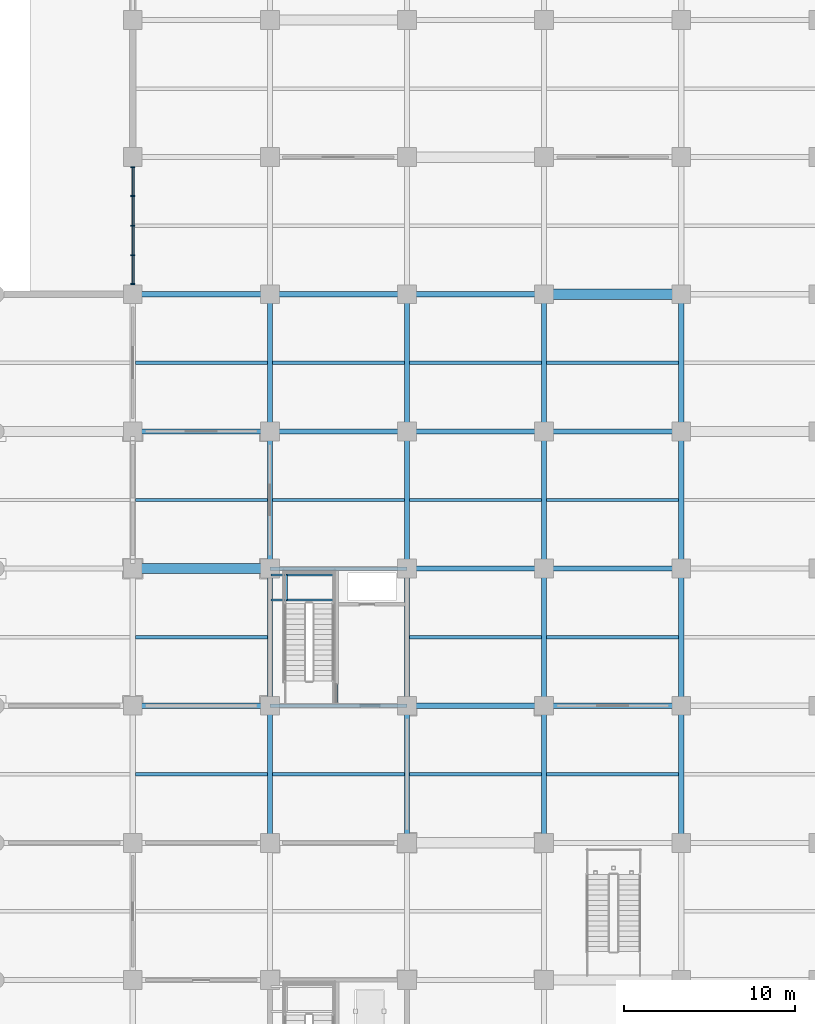
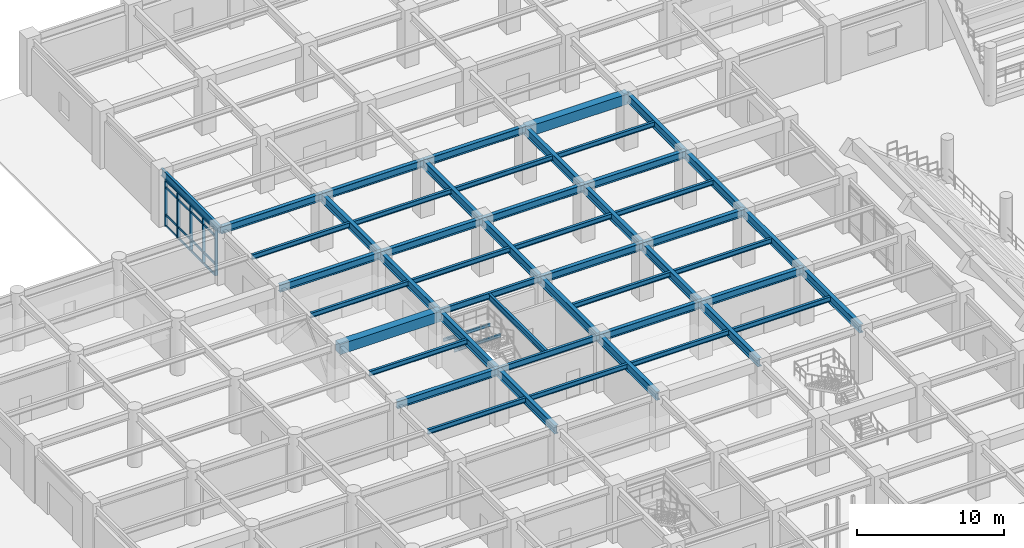
# One storey, part 43 of 125: 52 beams, 21 members, 1 element without a shape of its own.
"""IFC4 building model written with IfcOpenShell, lengths in metres."""

from ifc_helpers import new_model, si_unit, direction, frame, origin, origin_2d, place, context, subcontext, project, spatial, rectangle, i_section, extrude, material, layer, layer_set, material_profile, profile_set, type_object, element, aggregate, save


model = new_model("IFC4")

# Units and contexts
model_context = context("Model", 3, precision=1e-05, world=origin(), true_north=direction((0.0, 1.0)))
body_context = subcontext(model_context, "Body", "Model", "MODEL_VIEW")
ifc_project = project(units=[si_unit("LENGTHUNIT", "METRE"), si_unit("AREAUNIT", "SQUARE_METRE"), si_unit("VOLUMEUNIT", "CUBIC_METRE"), si_unit("PLANEANGLEUNIT", "RADIAN"), si_unit("MASSUNIT", "GRAM", prefix="KILO")], contexts=[model_context])

# Site, building, storey
site_placement = place(None, origin())
site = spatial("IfcSite", under=ifc_project, at=site_placement, CompositionType="ELEMENT")
building_placement = place(site_placement, origin())
building = spatial("IfcBuilding", under=site, at=building_placement, Name="Haebicheon Civic Stadium", CompositionType="ELEMENT")
storey_placement = place(building_placement, origin())
storey = spatial("IfcBuildingStorey", under=building, at=storey_placement, Name="L01", CompositionType="ELEMENT", Elevation=0.0)

# Beams
ifc_material_1 = material(Name="Steel SM355 (S355)", Category="steel")
ifc_material_profile_1 = material_profile(ifc_material_1, i_section(OverallWidth=0.199951171875, OverallDepth=0.5, WebThickness=0.010009765625, FlangeThickness=0.01611328125, at=origin_2d()), Name="H-500x200x10x16")
ifc_profile_set_1 = profile_set([ifc_material_profile_1], Name="Steel SM355 (S355)")
beam_type_1 = type_object("IfcBeamType", Name="BM-ST-H500", PredefinedType="BEAM", material=ifc_profile_set_1)
for number, where, z_axis, x_axis, name in (
    (1, (32.0, 128.0, 4.22998046875), (1.0, 0.0, 0.0), (0.0, 1.0, 0.0), "L01 beam S/5-6"),
    (2, (32.0, 136.0, 4.22998046875), (1.0, 0.0, 0.0), (0.0, 1.0, 0.0), "L01 beam T/5-6"),
):
    element("IfcBeam", number, at=place(storey_placement, frame(where, z_axis=z_axis, x_axis=x_axis)), inside=storey, type_object=beam_type_1, material=ifc_profile_set_1, Name=name, PredefinedType="BEAM", context=body_context, shape_type="SweptSolid", body=[
        extrude(i_section(OverallWidth=0.199951171875, OverallDepth=0.5, WebThickness=0.010009765625, FlangeThickness=0.01611328125, at=origin_2d()), origin(), (0.0, 0.0, 1.0), 8.0),
    ])
beam_1_placement = place(storey_placement, frame((35.8798828125, 128.10009765625, 4.22998046875), z_axis=(0.0, 1.0, 0.0), x_axis=(-1.0, 0.0, 0.0)))
element("IfcBeam", 3, at=beam_1_placement, inside=storey, type_object=beam_type_1, material=ifc_profile_set_1, Name="L01 KC-05 core dividing wall support beam", PredefinedType="BEAM", context=body_context, shape_type="SweptSolid", body=[
    extrude(i_section(OverallWidth=0.199951171875, OverallDepth=0.5, WebThickness=0.010009765625, FlangeThickness=0.01611328125, at=origin_2d()), origin(), (0.0, 0.0, 1.0), 7.7998046875),
])
ifc_material_2 = material(Name="Steel SM355 (S355)", Category="steel")
ifc_material_profile_2 = material_profile(ifc_material_2, i_section(OverallWidth=0.300048828125, OverallDepth=0.60009765625, WebThickness=0.011962890625, FlangeThickness=0.02001953125, at=origin_2d()), Name="H-600x300x12x20")
ifc_profile_set_2 = profile_set([ifc_material_profile_2], Name="Steel SM355 (S355)")
beam_type_2 = type_object("IfcBeamType", Name="BM-ST-H600A", PredefinedType="BEAM", material=ifc_profile_set_2)
for number, where, z_axis, x_axis, name in (
    (4, (24.0, 128.0, 4.179931640625), (1.0, 0.0, 0.0), (0.0, 1.0, 0.0), "L01 beam S/4-5"),
    (5, (24.0, 144.0, 4.179931640625), (1.0, 0.0, 0.0), (0.0, 1.0, 0.0), "L01 beam U/4-5"),
    (6, (24.0, 152.0, 4.179931640625), (1.0, 0.0, 0.0), (0.0, 1.0, 0.0), "L01 beam V/4-5"),
    (7, (32.0, 144.0, 4.179931640625), (1.0, 0.0, 0.0), (0.0, 1.0, 0.0), "L01 beam U/5-6"),
    (8, (32.0, 152.0, 4.179931640625), (1.0, 0.0, 0.0), (0.0, 1.0, 0.0), "L01 beam V/5-6"),
    (9, (40.0, 128.0, 4.179931640625), (1.0, 0.0, 0.0), (0.0, 1.0, 0.0), "L01 beam S/6-7"),
    (10, (40.0, 136.0, 4.179931640625), (1.0, 0.0, 0.0), (0.0, 1.0, 0.0), "L01 beam T/6-7"),
    (11, (40.0, 144.0, 4.179931640625), (1.0, 0.0, 0.0), (0.0, 1.0, 0.0), "L01 beam U/6-7"),
    (12, (40.0, 152.0, 4.179931640625), (1.0, 0.0, 0.0), (0.0, 1.0, 0.0), "L01 beam V/6-7"),
    (13, (48.0, 128.0, 4.179931640625), (1.0, 0.0, 0.0), (0.0, 1.0, 0.0), "L01 beam S/7-8"),
    (14, (48.0, 136.0, 4.179931640625), (1.0, 0.0, 0.0), (0.0, 1.0, 0.0), "L01 beam T/7-8"),
    (15, (48.0, 144.0, 4.179931640625), (1.0, 0.0, 0.0), (0.0, 1.0, 0.0), "L01 beam U/7-8"),
):
    element("IfcBeam", number, at=place(storey_placement, frame(where, z_axis=z_axis, x_axis=x_axis)), inside=storey, type_object=beam_type_2, material=ifc_profile_set_2, Name=name, PredefinedType="BEAM", context=body_context, shape_type="SweptSolid", body=[
        extrude(i_section(OverallWidth=0.300048828125, OverallDepth=0.60009765625, WebThickness=0.011962890625, FlangeThickness=0.02001953125, at=origin_2d()), origin(), (0.0, 0.0, 1.0), 8.0),
    ])
ifc_material_3 = material(Name="Steel SM490", Category="steel")
ifc_material_profile_3 = material_profile(ifc_material_3, i_section(OverallWidth=0.300048828125, OverallDepth=0.699951171875, WebThickness=0.012939453125, FlangeThickness=0.02392578125, at=origin_2d()), Name="H-700x300x13x24")
ifc_profile_set_3 = profile_set([ifc_material_profile_3], Name="Steel SM490")
beam_type_3 = type_object("IfcBeamType", Name="BM-ST-H700", PredefinedType="BEAM", material=ifc_profile_set_3)
for number, where, z_axis, x_axis, name in (
    (16, (32.0, 120.0, 4.1298828125), (0.0, 1.0, 0.0), (-1.0, 0.0, 0.0), "L01 girder 5/R-S"),
    (17, (32.0, 128.0, 4.1298828125), (0.0, 1.0, 0.0), (-1.0, 0.0, 0.0), "L01 girder 5/S-T"),
    (18, (32.0, 136.0, 4.1298828125), (0.0, 1.0, 0.0), (-1.0, 0.0, 0.0), "L01 girder 5/T-U"),
    (19, (32.0, 144.0, 4.1298828125), (0.0, 1.0, 0.0), (-1.0, 0.0, 0.0), "L01 girder 5/U-V"),
    (20, (40.0, 120.0, 4.1298828125), (0.0, 1.0, 0.0), (-1.0, 0.0, 0.0), "L01 girder 6/R-S"),
    (21, (40.0, 128.0, 4.1298828125), (0.0, 1.0, 0.0), (-1.0, 0.0, 0.0), "L01 girder 6/S-T"),
    (22, (40.0, 136.0, 4.1298828125), (0.0, 1.0, 0.0), (-1.0, 0.0, 0.0), "L01 girder 6/T-U"),
    (23, (40.0, 144.0, 4.1298828125), (0.0, 1.0, 0.0), (-1.0, 0.0, 0.0), "L01 girder 6/U-V"),
    (24, (48.0, 120.0, 4.1298828125), (0.0, 1.0, 0.0), (-1.0, 0.0, 0.0), "L01 girder 7/R-S"),
    (25, (48.0, 128.0, 4.1298828125), (0.0, 1.0, 0.0), (-1.0, 0.0, 0.0), "L01 girder 7/S-T"),
    (26, (48.0, 136.0, 4.1298828125), (0.0, 1.0, 0.0), (-1.0, 0.0, 0.0), "L01 girder 7/T-U"),
    (27, (48.0, 144.0, 4.1298828125), (0.0, 1.0, 0.0), (-1.0, 0.0, 0.0), "L01 girder 7/U-V"),
    (28, (56.0, 120.0, 4.1298828125), (0.0, 1.0, 0.0), (-1.0, 0.0, 0.0), "L01 girder 8/R-S"),
    (29, (56.0, 128.0, 4.1298828125), (0.0, 1.0, 0.0), (-1.0, 0.0, 0.0), "L01 girder 8/S-T"),
    (30, (56.0, 136.0, 4.1298828125), (0.0, 1.0, 0.0), (-1.0, 0.0, 0.0), "L01 girder 8/T-U"),
    (31, (56.0, 144.0, 4.1298828125), (0.0, 1.0, 0.0), (-1.0, 0.0, 0.0), "L01 girder 8/U-V"),
):
    element("IfcBeam", number, at=place(storey_placement, frame(where, z_axis=z_axis, x_axis=x_axis)), inside=storey, type_object=beam_type_3, material=ifc_profile_set_3, Name=name, PredefinedType="BEAM", context=body_context, shape_type="SweptSolid", body=[
        extrude(i_section(OverallWidth=0.300048828125, OverallDepth=0.699951171875, WebThickness=0.012939453125, FlangeThickness=0.02392578125, at=origin_2d()), origin(), (0.0, 0.0, 1.0), 8.0),
    ])
ifc_material_4 = material(Name="Precast concrete C40/50", Category="concrete")
ifc_material_profile_4 = material_profile(ifc_material_4, rectangle(XDim=0.60009765625, YDim=0.85009765625, at=origin_2d()), Name="PC-TB-600x850")
ifc_profile_set_4 = profile_set([ifc_material_profile_4], Name="Precast concrete C40/50")
beam_type_4 = type_object("IfcBeamType", Name="BM-TB-600x850", PredefinedType="T_BEAM", material=ifc_profile_set_4)
for number, where, z_axis, x_axis, name in (
    (32, (24.0, 136.0, 4.054931640625), (1.0, 0.0, 0.0), (0.0, 1.0, 0.0), "L01 beam T/4-5"),
    (33, (48.0, 152.0, 4.054931640625), (1.0, 0.0, 0.0), (0.0, 1.0, 0.0), "L01 beam V/7-8"),
):
    element("IfcBeam", number, at=place(storey_placement, frame(where, z_axis=z_axis, x_axis=x_axis)), inside=storey, type_object=beam_type_4, material=ifc_profile_set_4, Name=name, PredefinedType="T_BEAM", context=body_context, shape_type="SweptSolid", body=[
        extrude(rectangle(XDim=0.60009765625, YDim=0.85009765625, at=origin_2d()), origin(), (0.0, 0.0, 1.0), 8.0),
    ])

# Curtain wall, members
ifc_material_5 = material(Name="Anodised aluminium and laminated glass", Category="aluminium")
ifc_layer = layer(ifc_material_5, 0.179931640625, Name="Anodised aluminium and laminated glass")
ifc_layer_set = layer_set([ifc_layer], Name="Anodised aluminium and laminated glass")
curtain_wall_type = type_object("IfcCurtainWallType", Name="CW-6900x3770", PredefinedType="NOTDEFINED", material=ifc_layer_set)
curtain_wall_placement = place(storey_placement, origin())
curtain_wall = element("IfcCurtainWall", 34, at=curtain_wall_placement, inside=storey, type_object=curtain_wall_type, material=ifc_layer_set, Name="L01 unitised curtain wall 003", PredefinedType="NOTDEFINED")
ifc_material_6 = material(Name="Anodised aluminium 6063-T6", Category="aluminium")
ifc_material_profile_5 = material_profile(ifc_material_6, rectangle(XDim=0.080078125, YDim=0.239990234375, at=origin_2d()), Name="ALU-MULL-80x240")
ifc_profile_set_5 = profile_set([ifc_material_profile_5], Name="Anodised aluminium 6063-T6")
member_type_1 = type_object("IfcMemberType", Name="CWM-240x80", PredefinedType="MULLION", material=ifc_profile_set_5)
member_1_placement = place(storey_placement, frame((24.0, 152.590087890625, 0.0), z_axis=(0.0, 0.0, 1.0), x_axis=(0.0, 1.0, 0.0)))
member_1 = element("IfcMember", 35, at=member_1_placement, type_object=member_type_1, material=ifc_profile_set_5, Name="CW-L01-003 vertical mullion 1", PredefinedType="MULLION", context=body_context, shape_type="SweptSolid", body=[
    extrude(rectangle(XDim=0.080078125, YDim=0.239990234375, at=origin_2d()), origin(), (0.0, 0.0, 1.0), 3.77001953125),
])
member_2_placement = place(storey_placement, frame((24.0, 154.27490234375, 0.0), z_axis=(0.0, 0.0, 1.0), x_axis=(0.0, 1.0, 0.0)))
member_2 = element("IfcMember", 36, at=member_2_placement, type_object=member_type_1, material=ifc_profile_set_5, Name="CW-L01-003 vertical mullion 2", PredefinedType="MULLION", context=body_context, shape_type="SweptSolid", body=[
    extrude(rectangle(XDim=0.080078125, YDim=0.239990234375, at=origin_2d()), origin(), (0.0, 0.0, 1.0), 3.77001953125),
])
member_3_placement = place(storey_placement, frame((24.0, 156.0, 0.0), z_axis=(0.0, 0.0, 1.0), x_axis=(0.0, 1.0, 0.0)))
member_3 = element("IfcMember", 37, at=member_3_placement, type_object=member_type_1, material=ifc_profile_set_5, Name="CW-L01-003 vertical mullion 3", PredefinedType="MULLION", context=body_context, shape_type="SweptSolid", body=[
    extrude(rectangle(XDim=0.080078125, YDim=0.239990234375, at=origin_2d()), origin(), (0.0, 0.0, 1.0), 3.77001953125),
])
member_4_placement = place(storey_placement, frame((24.0, 157.72509765625, 0.0), z_axis=(0.0, 0.0, 1.0), x_axis=(0.0, 1.0, 0.0)))
member_4 = element("IfcMember", 38, at=member_4_placement, type_object=member_type_1, material=ifc_profile_set_5, Name="CW-L01-003 vertical mullion 4", PredefinedType="MULLION", context=body_context, shape_type="SweptSolid", body=[
    extrude(rectangle(XDim=0.080078125, YDim=0.239990234375, at=origin_2d()), origin(), (0.0, 0.0, 1.0), 3.77001953125),
])
member_5_placement = place(storey_placement, frame((24.0, 159.409912109375, 0.0), z_axis=(0.0, 0.0, 1.0), x_axis=(0.0, 1.0, 0.0)))
member_5 = element("IfcMember", 39, at=member_5_placement, type_object=member_type_1, material=ifc_profile_set_5, Name="CW-L01-003 vertical mullion 5", PredefinedType="MULLION", context=body_context, shape_type="SweptSolid", body=[
    extrude(rectangle(XDim=0.080078125, YDim=0.239990234375, at=origin_2d()), origin(), (0.0, 0.0, 1.0), 3.77001953125),
])
ifc_material_7 = material(Name="Anodised aluminium 6063-T6", Category="aluminium")
ifc_material_profile_6 = material_profile(ifc_material_7, rectangle(XDim=0.080078125, YDim=0.179931640625, at=origin_2d()), Name="ALU-TRAN-80x180")
ifc_profile_set_6 = profile_set([ifc_material_profile_6], Name="Anodised aluminium 6063-T6")
member_type_2 = type_object("IfcMemberType", Name="CWT-180x80", PredefinedType="NOTDEFINED", material=ifc_profile_set_6)
member_6_placement = place(storey_placement, frame((24.0, 152.6298828125, 0.0), z_axis=(0.0, 1.0, 0.0), x_axis=(-1.0, 0.0, 0.0)))
member_6 = element("IfcMember", 40, at=member_6_placement, type_object=member_type_2, material=ifc_profile_set_6, Name="CW-L01-003 horizontal transom 1.1", ObjectType="TRANSOM", PredefinedType="USERDEFINED", context=body_context, shape_type="SweptSolid", body=[
    extrude(rectangle(XDim=0.080078125, YDim=0.179931640625, at=origin_2d()), origin(), (0.0, 0.0, 1.0), 1.605224609375),
])
member_7_placement = place(storey_placement, frame((24.0, 152.6298828125, 0.89990234375), z_axis=(0.0, 1.0, 0.0), x_axis=(-1.0, 0.0, 0.0)))
member_7 = element("IfcMember", 41, at=member_7_placement, type_object=member_type_2, material=ifc_profile_set_6, Name="CW-L01-003 horizontal transom 1.2", ObjectType="TRANSOM", PredefinedType="USERDEFINED", context=body_context, shape_type="SweptSolid", body=[
    extrude(rectangle(XDim=0.080078125, YDim=0.179931640625, at=origin_2d()), origin(), (0.0, 0.0, 1.0), 1.605224609375),
])
member_8_placement = place(storey_placement, frame((24.0, 152.6298828125, 3.219970703125), z_axis=(0.0, 1.0, 0.0), x_axis=(-1.0, 0.0, 0.0)))
member_8 = element("IfcMember", 42, at=member_8_placement, type_object=member_type_2, material=ifc_profile_set_6, Name="CW-L01-003 horizontal transom 1.3", ObjectType="TRANSOM", PredefinedType="USERDEFINED", context=body_context, shape_type="SweptSolid", body=[
    extrude(rectangle(XDim=0.080078125, YDim=0.179931640625, at=origin_2d()), origin(), (0.0, 0.0, 1.0), 1.605224609375),
])
member_9_placement = place(storey_placement, frame((24.0, 152.6298828125, 3.77001953125), z_axis=(0.0, 1.0, 0.0), x_axis=(-1.0, 0.0, 0.0)))
member_9 = element("IfcMember", 43, at=member_9_placement, type_object=member_type_2, material=ifc_profile_set_6, Name="CW-L01-003 horizontal transom 1.4", ObjectType="TRANSOM", PredefinedType="USERDEFINED", context=body_context, shape_type="SweptSolid", body=[
    extrude(rectangle(XDim=0.080078125, YDim=0.179931640625, at=origin_2d()), origin(), (0.0, 0.0, 1.0), 1.605224609375),
])
member_10_placement = place(storey_placement, frame((24.0, 154.31494140625, 0.0), z_axis=(0.0, 1.0, 0.0), x_axis=(-1.0, 0.0, 0.0)))
member_10 = element("IfcMember", 44, at=member_10_placement, type_object=member_type_2, material=ifc_profile_set_6, Name="CW-L01-003 horizontal transom 2.1", ObjectType="TRANSOM", PredefinedType="USERDEFINED", context=body_context, shape_type="SweptSolid", body=[
    extrude(rectangle(XDim=0.080078125, YDim=0.179931640625, at=origin_2d()), origin(), (0.0, 0.0, 1.0), 1.64501953125),
])
member_11_placement = place(storey_placement, frame((24.0, 154.31494140625, 0.89990234375), z_axis=(0.0, 1.0, 0.0), x_axis=(-1.0, 0.0, 0.0)))
member_11 = element("IfcMember", 45, at=member_11_placement, type_object=member_type_2, material=ifc_profile_set_6, Name="CW-L01-003 horizontal transom 2.2", ObjectType="TRANSOM", PredefinedType="USERDEFINED", context=body_context, shape_type="SweptSolid", body=[
    extrude(rectangle(XDim=0.080078125, YDim=0.179931640625, at=origin_2d()), origin(), (0.0, 0.0, 1.0), 1.64501953125),
])
member_12_placement = place(storey_placement, frame((24.0, 154.31494140625, 3.219970703125), z_axis=(0.0, 1.0, 0.0), x_axis=(-1.0, 0.0, 0.0)))
member_12 = element("IfcMember", 46, at=member_12_placement, type_object=member_type_2, material=ifc_profile_set_6, Name="CW-L01-003 horizontal transom 2.3", ObjectType="TRANSOM", PredefinedType="USERDEFINED", context=body_context, shape_type="SweptSolid", body=[
    extrude(rectangle(XDim=0.080078125, YDim=0.179931640625, at=origin_2d()), origin(), (0.0, 0.0, 1.0), 1.64501953125),
])
member_13_placement = place(storey_placement, frame((24.0, 154.31494140625, 3.77001953125), z_axis=(0.0, 1.0, 0.0), x_axis=(-1.0, 0.0, 0.0)))
member_13 = element("IfcMember", 47, at=member_13_placement, type_object=member_type_2, material=ifc_profile_set_6, Name="CW-L01-003 horizontal transom 2.4", ObjectType="TRANSOM", PredefinedType="USERDEFINED", context=body_context, shape_type="SweptSolid", body=[
    extrude(rectangle(XDim=0.080078125, YDim=0.179931640625, at=origin_2d()), origin(), (0.0, 0.0, 1.0), 1.64501953125),
])
member_14_placement = place(storey_placement, frame((24.0, 156.0400390625, 0.0), z_axis=(0.0, 1.0, 0.0), x_axis=(-1.0, 0.0, 0.0)))
member_14 = element("IfcMember", 48, at=member_14_placement, type_object=member_type_2, material=ifc_profile_set_6, Name="CW-L01-003 horizontal transom 3.1", ObjectType="TRANSOM", PredefinedType="USERDEFINED", context=body_context, shape_type="SweptSolid", body=[
    extrude(rectangle(XDim=0.080078125, YDim=0.179931640625, at=origin_2d()), origin(), (0.0, 0.0, 1.0), 1.64501953125),
])
member_15_placement = place(storey_placement, frame((24.0, 156.0400390625, 0.89990234375), z_axis=(0.0, 1.0, 0.0), x_axis=(-1.0, 0.0, 0.0)))
member_15 = element("IfcMember", 49, at=member_15_placement, type_object=member_type_2, material=ifc_profile_set_6, Name="CW-L01-003 horizontal transom 3.2", ObjectType="TRANSOM", PredefinedType="USERDEFINED", context=body_context, shape_type="SweptSolid", body=[
    extrude(rectangle(XDim=0.080078125, YDim=0.179931640625, at=origin_2d()), origin(), (0.0, 0.0, 1.0), 1.64501953125),
])
member_16_placement = place(storey_placement, frame((24.0, 156.0400390625, 3.219970703125), z_axis=(0.0, 1.0, 0.0), x_axis=(-1.0, 0.0, 0.0)))
member_16 = element("IfcMember", 50, at=member_16_placement, type_object=member_type_2, material=ifc_profile_set_6, Name="CW-L01-003 horizontal transom 3.3", ObjectType="TRANSOM", PredefinedType="USERDEFINED", context=body_context, shape_type="SweptSolid", body=[
    extrude(rectangle(XDim=0.080078125, YDim=0.179931640625, at=origin_2d()), origin(), (0.0, 0.0, 1.0), 1.64501953125),
])
member_17_placement = place(storey_placement, frame((24.0, 156.0400390625, 3.77001953125), z_axis=(0.0, 1.0, 0.0), x_axis=(-1.0, 0.0, 0.0)))
member_17 = element("IfcMember", 51, at=member_17_placement, type_object=member_type_2, material=ifc_profile_set_6, Name="CW-L01-003 horizontal transom 3.4", ObjectType="TRANSOM", PredefinedType="USERDEFINED", context=body_context, shape_type="SweptSolid", body=[
    extrude(rectangle(XDim=0.080078125, YDim=0.179931640625, at=origin_2d()), origin(), (0.0, 0.0, 1.0), 1.64501953125),
])
member_18_placement = place(storey_placement, frame((24.0, 157.764892578125, 0.0), z_axis=(0.0, 1.0, 0.0), x_axis=(-1.0, 0.0, 0.0)))
member_18 = element("IfcMember", 52, at=member_18_placement, type_object=member_type_2, material=ifc_profile_set_6, Name="CW-L01-003 horizontal transom 4.1", ObjectType="TRANSOM", PredefinedType="USERDEFINED", context=body_context, shape_type="SweptSolid", body=[
    extrude(rectangle(XDim=0.080078125, YDim=0.179931640625, at=origin_2d()), origin(), (0.0, 0.0, 1.0), 1.605224609375),
])
member_19_placement = place(storey_placement, frame((24.0, 157.764892578125, 0.89990234375), z_axis=(0.0, 1.0, 0.0), x_axis=(-1.0, 0.0, 0.0)))
member_19 = element("IfcMember", 53, at=member_19_placement, type_object=member_type_2, material=ifc_profile_set_6, Name="CW-L01-003 horizontal transom 4.2", ObjectType="TRANSOM", PredefinedType="USERDEFINED", context=body_context, shape_type="SweptSolid", body=[
    extrude(rectangle(XDim=0.080078125, YDim=0.179931640625, at=origin_2d()), origin(), (0.0, 0.0, 1.0), 1.605224609375),
])
member_20_placement = place(storey_placement, frame((24.0, 157.764892578125, 3.219970703125), z_axis=(0.0, 1.0, 0.0), x_axis=(-1.0, 0.0, 0.0)))
member_20 = element("IfcMember", 54, at=member_20_placement, type_object=member_type_2, material=ifc_profile_set_6, Name="CW-L01-003 horizontal transom 4.3", ObjectType="TRANSOM", PredefinedType="USERDEFINED", context=body_context, shape_type="SweptSolid", body=[
    extrude(rectangle(XDim=0.080078125, YDim=0.179931640625, at=origin_2d()), origin(), (0.0, 0.0, 1.0), 1.605224609375),
])
member_21_placement = place(storey_placement, frame((24.0, 157.764892578125, 3.77001953125), z_axis=(0.0, 1.0, 0.0), x_axis=(-1.0, 0.0, 0.0)))
member_21 = element("IfcMember", 55, at=member_21_placement, type_object=member_type_2, material=ifc_profile_set_6, Name="CW-L01-003 horizontal transom 4.4", ObjectType="TRANSOM", PredefinedType="USERDEFINED", context=body_context, shape_type="SweptSolid", body=[
    extrude(rectangle(XDim=0.080078125, YDim=0.179931640625, at=origin_2d()), origin(), (0.0, 0.0, 1.0), 1.605224609375),
])
aggregate(curtain_wall, [member_1, member_2, member_3, member_4, member_5, member_6, member_7, member_8, member_9, member_10, member_11, member_12, member_13, member_14, member_15, member_16, member_17, member_18, member_19, member_20, member_21])

# Beams
ifc_material_8 = material(Name="Steel SM355 (S355)", Category="steel")
ifc_material_profile_7 = material_profile(ifc_material_8, i_section(OverallWidth=0.125, OverallDepth=0.25, WebThickness=0.006103515625, FlangeThickness=0.009033203125, at=origin_2d()), Name="H-250x125x6x9")
ifc_profile_set_7 = profile_set([ifc_material_profile_7], Name="Steel SM355 (S355)")
beam_type_5 = type_object("IfcBeamType", Name="JST-ST-H250", PredefinedType="JOIST", material=ifc_profile_set_7)
for number, where, z_axis, x_axis, name in (
    (56, (32.080078125, 134.169921875, 2.072021484375), (1.0, 0.0, 0.0), (0.0, 1.0, 0.0), "KC-05 L01 stair half-landing front trimmer beam"),
    (57, (32.080078125, 135.6201171875, 2.072021484375), (1.0, 0.0, 0.0), (0.0, 1.0, 0.0), "KC-05 L01 stair half-landing rear trimmer beam"),
):
    element("IfcBeam", number, at=place(storey_placement, frame(where, z_axis=z_axis, x_axis=x_axis)), inside=storey, type_object=beam_type_5, material=ifc_profile_set_7, Name=name, PredefinedType="JOIST", context=body_context, shape_type="SweptSolid", body=[
        extrude(i_section(OverallWidth=0.125, OverallDepth=0.25, WebThickness=0.006103515625, FlangeThickness=0.009033203125, at=origin_2d()), origin(), (0.0, 0.0, 1.0), 3.719970703125),
    ])
beam_2_placement = place(storey_placement, frame((32.9599609375, 134.169921875, 2.072021484375), z_axis=(0.0, 1.0, 0.0), x_axis=(-1.0, 0.0, 0.0)))
element("IfcBeam", 58, at=beam_2_placement, inside=storey, type_object=beam_type_5, material=ifc_profile_set_7, Name="KC-05 L01 stair half-landing transverse tie beam", PredefinedType="JOIST", context=body_context, shape_type="SweptSolid", body=[
    extrude(i_section(OverallWidth=0.125, OverallDepth=0.25, WebThickness=0.006103515625, FlangeThickness=0.009033203125, at=origin_2d()), origin(), (0.0, 0.0, 1.0), 1.4501953125),
])
ifc_material_9 = material(Name="Steel SM355 (S355)", Category="steel")
ifc_material_profile_8 = material_profile(ifc_material_9, i_section(OverallWidth=0.199951171875, OverallDepth=0.39990234375, WebThickness=0.008056640625, FlangeThickness=0.012939453125, at=origin_2d()), Name="H-400x200x8x13")
ifc_profile_set_8 = profile_set([ifc_material_profile_8], Name="Steel SM355 (S355)")
beam_type_6 = type_object("IfcBeamType", Name="JST-ST-H400", PredefinedType="JOIST", material=ifc_profile_set_8)
for number, where, z_axis, x_axis, name in (
    (59, (24.14990234375, 124.0, 4.280029296875), (1.0, 0.0, 0.0), (0.0, 1.0, 0.0), "L01 secondary joist 03-15"),
    (60, (24.14990234375, 132.0, 4.280029296875), (1.0, 0.0, 0.0), (0.0, 1.0, 0.0), "L01 secondary joist 03-16"),
    (61, (24.14990234375, 140.0, 4.280029296875), (1.0, 0.0, 0.0), (0.0, 1.0, 0.0), "L01 secondary joist 03-17"),
    (62, (24.14990234375, 148.0, 4.280029296875), (1.0, 0.0, 0.0), (0.0, 1.0, 0.0), "L01 secondary joist 03-18"),
    (63, (32.14990234375, 124.0, 4.280029296875), (1.0, 0.0, 0.0), (0.0, 1.0, 0.0), "L01 secondary joist 04-15"),
    (64, (32.14990234375, 140.0, 4.280029296875), (1.0, 0.0, 0.0), (0.0, 1.0, 0.0), "L01 secondary joist 04-17"),
    (65, (32.14990234375, 148.0, 4.280029296875), (1.0, 0.0, 0.0), (0.0, 1.0, 0.0), "L01 secondary joist 04-18"),
    (66, (40.14990234375, 124.0, 4.280029296875), (1.0, 0.0, 0.0), (0.0, 1.0, 0.0), "L01 secondary joist 05-15"),
    (67, (40.14990234375, 132.0, 4.280029296875), (1.0, 0.0, 0.0), (0.0, 1.0, 0.0), "L01 secondary joist 05-16"),
    (68, (40.14990234375, 140.0, 4.280029296875), (1.0, 0.0, 0.0), (0.0, 1.0, 0.0), "L01 secondary joist 05-17"),
    (69, (40.14990234375, 148.0, 4.280029296875), (1.0, 0.0, 0.0), (0.0, 1.0, 0.0), "L01 secondary joist 05-18"),
    (70, (48.14990234375, 124.0, 4.280029296875), (1.0, 0.0, 0.0), (0.0, 1.0, 0.0), "L01 secondary joist 06-15"),
    (71, (48.14990234375, 132.0, 4.280029296875), (1.0, 0.0, 0.0), (0.0, 1.0, 0.0), "L01 secondary joist 06-16"),
    (72, (48.14990234375, 140.0, 4.280029296875), (1.0, 0.0, 0.0), (0.0, 1.0, 0.0), "L01 secondary joist 06-17"),
    (73, (48.14990234375, 148.0, 4.280029296875), (1.0, 0.0, 0.0), (0.0, 1.0, 0.0), "L01 secondary joist 06-18"),
):
    element("IfcBeam", number, at=place(storey_placement, frame(where, z_axis=z_axis, x_axis=x_axis)), inside=storey, type_object=beam_type_6, material=ifc_profile_set_8, Name=name, PredefinedType="JOIST", context=body_context, shape_type="SweptSolid", body=[
        extrude(i_section(OverallWidth=0.199951171875, OverallDepth=0.39990234375, WebThickness=0.008056640625, FlangeThickness=0.012939453125, at=origin_2d()), origin(), (0.0, 0.0, 1.0), 7.7001953125),
    ])
ifc_material_10 = material(Name="Steel SM355 (S355)", Category="steel")
ifc_material_profile_9 = material_profile(ifc_material_10, i_section(OverallWidth=0.199951171875, OverallDepth=0.60009765625, WebThickness=0.010986328125, FlangeThickness=0.01708984375, at=origin_2d()), Name="H-600x200x11x17")
ifc_profile_set_9 = profile_set([ifc_material_profile_9], Name="Steel SM355 (S355)")
beam_type_7 = type_object("IfcBeamType", Name="SPD-ST-H600B", PredefinedType="SPANDREL", material=ifc_profile_set_9)
beam_3_placement = place(storey_placement, frame((24.0, 152.0, 4.179931640625), z_axis=(0.0, 1.0, 0.0), x_axis=(-1.0, 0.0, 0.0)))
element("IfcBeam", 74, at=beam_3_placement, inside=storey, type_object=beam_type_7, material=ifc_profile_set_9, Name="L01 girder 4/V-W", PredefinedType="SPANDREL", context=body_context, shape_type="SweptSolid", body=[
    extrude(i_section(OverallWidth=0.199951171875, OverallDepth=0.60009765625, WebThickness=0.010986328125, FlangeThickness=0.01708984375, at=origin_2d()), origin(), (0.0, 0.0, 1.0), 8.0),
])

save(model, "model.ifc")
